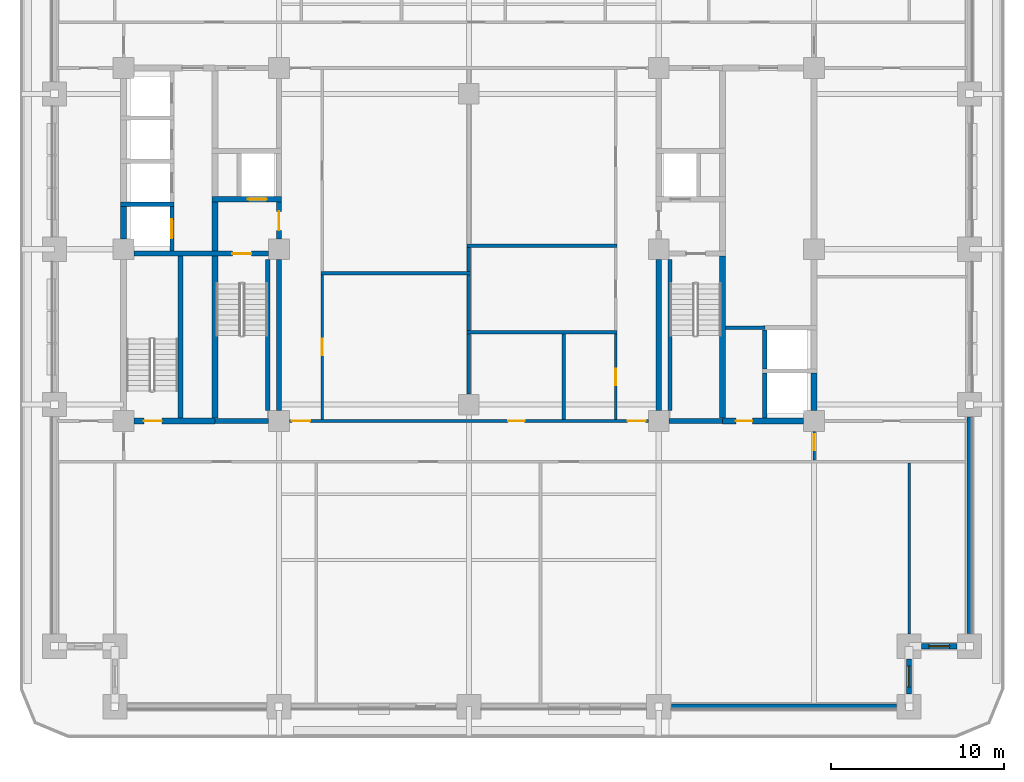
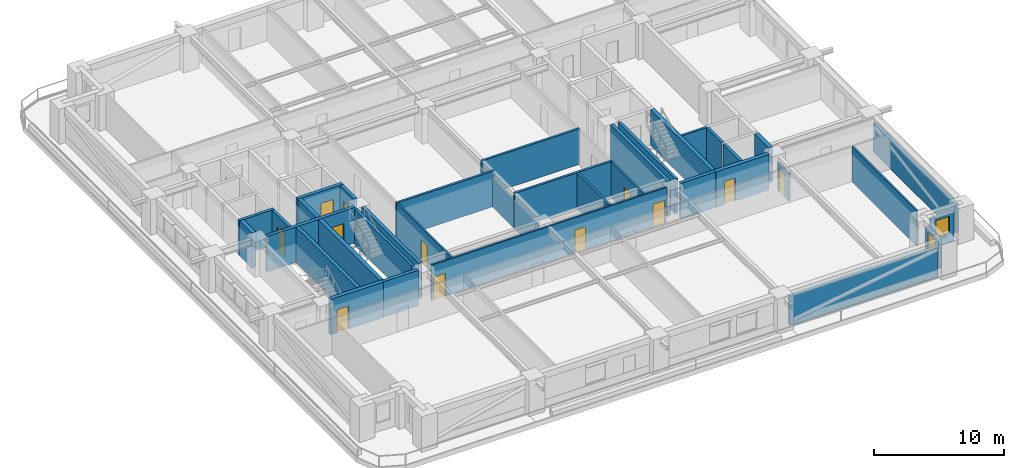
# One storey, part 3 of 14: 38 walls, 12 doors, 2 windows, 14 openings.
"""IFC4 building model written with IfcOpenShell, lengths in metres."""

from ifc_helpers import new_model, si_unit, direction, frame, frame_2d, origin, place, context, subcontext, project, spatial, rectangle, extrude, material, layer, layer_set, type_object, element, fill, save


model = new_model("IFC4")

# Units and contexts
model_context = context("Model", 3, precision=1e-05, world=origin(), true_north=direction((0.0, 1.0)))
body_context = subcontext(model_context, "Body", "Model", "MODEL_VIEW")
ifc_project = project(units=[si_unit("LENGTHUNIT", "METRE"), si_unit("AREAUNIT", "SQUARE_METRE"), si_unit("VOLUMEUNIT", "CUBIC_METRE"), si_unit("PLANEANGLEUNIT", "RADIAN"), si_unit("MASSUNIT", "GRAM", prefix="KILO")], contexts=[model_context])

# Site, building, storey
site_placement = place(None, origin())
site = spatial("IfcSite", under=ifc_project, at=site_placement, CompositionType="ELEMENT")
building_placement = place(site_placement, origin())
building = spatial("IfcBuilding", under=site, at=building_placement, Name="Zulmaris Gate Convention Tower", CompositionType="ELEMENT")
storey_placement = place(building_placement, frame((0.0, 0.0, 45.050048828125)))
storey = spatial("IfcBuildingStorey", under=building, at=storey_placement, Name="L10", CompositionType="ELEMENT", Elevation=45.050048828125)

# Wall
ifc_material_1 = material(Name="Concrete C50/60", Category="concrete")
ifc_layer_1 = layer(ifc_material_1, 0.25, Name="Concrete C50/60")
ifc_layer_set_1 = layer_set([ifc_layer_1], Name="Concrete C50/60")
wall_type_1 = type_object("IfcWallType", Name="CORE-250", PredefinedType="SOLIDWALL", material=ifc_layer_set_1)
wall_1_placement = place(storey_placement, frame((-20.175048828125, 2.60009765625, 0.0), z_axis=(0.0, 0.0, 1.0), x_axis=(1.0, 0.0, 0.0)))
element("IfcWall", 1, at=wall_1_placement, inside=storey, type_object=wall_type_1, Name="WL-L10-009", PredefinedType="SOLIDWALL", context=body_context, shape_type="SweptSolid", body=[
    extrude(rectangle(XDim=3.10009765625, YDim=0.25, at=frame_2d((1.550048828125, 0.0))), origin(), (0.0, 0.0, 1.0), 3.320068359375),
])

# Wall, opening, door
wall_2_placement = place(storey_placement, frame((-17.199951171875, -0.097900390625, 0.0), z_axis=(0.0, 0.0, 1.0), x_axis=(0.0, 1.0, 0.0)))
wall_2 = element("IfcWall", 2, at=wall_2_placement, inside=storey, type_object=wall_type_1, Name="WL-L10-038", PredefinedType="SOLIDWALL", context=body_context, shape_type="SweptSolid", body=[
    extrude(rectangle(XDim=2.57080078125, YDim=0.25, at=frame_2d((1.285400390625, 0.0))), origin(), (0.0, 0.0, 1.0), 3.320068359375),
])
opening_1_placement = place(wall_2_placement, frame((0.722900390625, 0.0, 0.0)))
opening_1 = element("IfcOpeningElement", 3, at=opening_1_placement, cuts=wall_2, Name="Opening D-06", PredefinedType="OPENING", context=body_context, shape_type="SweptSolid", body=[
    extrude(rectangle(XDim=1.10009765625, YDim=2.199951171875, at=frame_2d((0.550048828125, 1.10009765625))), frame((0.0, 0.135009765625, 0.0), z_axis=(0.0, -1.0, 0.0), x_axis=(1.0, 0.0, 0.0)), (0.0, 0.0, 1.0), 0.27001953125),
])
ifc_material_2 = material(Name="Brushed Stainless Steel", Category="steel")
door_type_1 = type_object("IfcDoorType", Name="LD-1100", OperationType="NOTDEFINED", PredefinedType="DOOR", material=ifc_material_2)
door_1_placement = place(opening_1_placement, origin())
door_1 = element("IfcDoor", 4, at=door_1_placement, inside=storey, type_object=door_type_1, Name="L10 Lift Landing Door LP-01 11", OperationType="SLIDING_TO_LEFT", OverallHeight=2.199951171875, OverallWidth=1.10009765625, PredefinedType="DOOR", context=body_context, shape_type="SweptSolid", body=[
    extrude(rectangle(XDim=1.10009765625, YDim=2.199951171875, at=frame_2d((0.550048828125, 1.10009765625))), frame((0.0, 0.02490234375, 0.0), z_axis=(0.0, -1.0, 0.0), x_axis=(1.0, 0.0, 0.0)), (0.0, 0.0, 1.0), 0.050048828125),
])
fill(opening_1, door_1)

# Walls
for number, where, z_axis, x_axis, name in (
    (5, (-11.64990234375, -9.345947265625, 0.0), (0.0, 0.0, 1.0), (0.0, 1.0, 0.0), "WL-L10-048"),
    (6, (11.64990234375, -9.345947265625, 0.0), (0.0, 0.0, 1.0), (0.0, 1.0, 0.0), "WL-L10-057"),
):
    element("IfcWall", number, at=place(storey_placement, frame(where, z_axis=z_axis, x_axis=x_axis)), inside=storey, type_object=wall_type_1, Name=name, PredefinedType="SOLIDWALL", context=body_context, shape_type="SweptSolid", body=[
        extrude(rectangle(XDim=8.741943359375, YDim=0.25, at=frame_2d((4.37109375, 0.0))), origin(), (0.0, 0.0, 1.0), 3.320068359375),
    ])
wall_3_placement = place(storey_placement, frame((17.14990234375, -9.77294921875, 0.0), z_axis=(0.0, 0.0, 1.0), x_axis=(0.0, 1.0, 0.0)))
element("IfcWall", 7, at=wall_3_placement, inside=storey, type_object=wall_type_1, Name="WL-L10-063", PredefinedType="SOLIDWALL", context=body_context, shape_type="SweptSolid", body=[
    extrude(rectangle(XDim=2.595947265625, YDim=0.25, at=frame_2d((1.2978515625, 0.0))), origin(), (0.0, 0.0, 1.0), 3.320068359375),
])
wall_4_placement = place(storey_placement, frame((17.14990234375, -6.923095703125, 0.0), z_axis=(0.0, 0.0, 1.0), x_axis=(0.0, 1.0, 0.0)))
element("IfcWall", 8, at=wall_4_placement, inside=storey, type_object=wall_type_1, Name="WL-L10-064", PredefinedType="SOLIDWALL", context=body_context, shape_type="SweptSolid", body=[
    extrude(rectangle(XDim=2.24609375, YDim=0.25, at=frame_2d((1.123046875, 0.0))), origin(), (0.0, 0.0, 1.0), 3.320068359375),
])
ifc_layer_2 = layer(ifc_material_1, 0.300048828125, Name="Concrete C50/60")
ifc_layer_set_2 = layer_set([ifc_layer_2], Name="Concrete C50/60")
wall_type_2 = type_object("IfcWallType", Name="CORE-300", PredefinedType="SHEAR", material=ifc_layer_set_2)
for number, where, z_axis, x_axis, name in (
    (9, (-14.699951171875, -9.949951171875, 0.0), (0.0, 0.0, 1.0), (1.0, 0.0, 0.0), "WL-L10-002"),
    (10, (11.60400390625, -9.949951171875, 0.0), (0.0, 0.0, 1.0), (1.0, 0.0, 0.0), "WL-L10-003"),
):
    element("IfcWall", number, at=place(storey_placement, frame(where, z_axis=z_axis, x_axis=x_axis)), inside=storey, type_object=wall_type_2, Name=name, PredefinedType="SHEAR", context=body_context, shape_type="SweptSolid", body=[
        extrude(rectangle(XDim=3.095947265625, YDim=0.300048828125, at=frame_2d((1.5478515625, 0.0))), origin(), (0.0, 0.0, 1.0), 3.320068359375),
    ])

# Wall, opening, door
wall_5_placement = place(storey_placement, frame((-19.39599609375, -0.25, 0.0), z_axis=(0.0, 0.0, 1.0), x_axis=(1.0, 0.0, 0.0)))
wall_5 = element("IfcWall", 11, at=wall_5_placement, inside=storey, type_object=wall_type_2, Name="WL-L10-007", PredefinedType="SHEAR", context=body_context, shape_type="SweptSolid", body=[
    extrude(rectangle(XDim=7.7919921875, YDim=0.300048828125, at=frame_2d((3.89599609375, 0.0))), origin(), (0.0, 0.0, 1.0), 3.320068359375),
])
opening_2_placement = place(wall_5_placement, frame((5.696044921875, 0.0, 0.0)))
opening_2 = element("IfcOpeningElement", 12, at=opening_2_placement, cuts=wall_5, Name="Opening D-08", PredefinedType="OPENING", context=body_context, shape_type="SweptSolid", body=[
    extrude(rectangle(XDim=1.10009765625, YDim=2.14990234375, at=frame_2d((0.550048828125, 1.074951171875))), frame((0.0, 0.16015625, 0.0), z_axis=(0.0, -1.0, 0.0), x_axis=(1.0, 0.0, 0.0)), (0.0, 0.0, 1.0), 0.320068359375),
])
ifc_material_3 = material(Name="Fire-Rated Steel", Category="steel")
door_type_2 = type_object("IfcDoorType", Name="DR-1100-FD", OperationType="NOTDEFINED", PredefinedType="DOOR", material=ifc_material_3)
door_2_placement = place(opening_2_placement, origin())
door_2 = element("IfcDoor", 13, at=door_2_placement, inside=storey, type_object=door_type_2, Name="L10 Exit Stair ST-1 Door 01", OperationType="SINGLE_SWING_LEFT", OverallHeight=2.14990234375, OverallWidth=1.10009765625, PredefinedType="DOOR", context=body_context, shape_type="SweptSolid", body=[
    extrude(rectangle(XDim=1.10009765625, YDim=2.14990234375, at=frame_2d((0.550048828125, 1.074951171875))), frame((0.0, 0.02490234375, 0.0), z_axis=(0.0, -1.0, 0.0), x_axis=(1.0, 0.0, 0.0)), (0.0, 0.0, 1.0), 0.050048828125),
])
fill(opening_2, door_2)

wall_6_placement = place(storey_placement, frame((-14.875, 2.89990234375, 0.0), z_axis=(0.0, 0.0, 1.0), x_axis=(1.0, 0.0, 0.0)))
wall_6 = element("IfcWall", 14, at=wall_6_placement, inside=storey, type_object=wall_type_2, Name="WL-L10-010", PredefinedType="SHEAR", context=body_context, shape_type="SweptSolid", body=[
    extrude(rectangle(XDim=4.02490234375, YDim=0.300048828125, at=frame_2d((2.012451171875, 0.0))), origin(), (0.0, 0.0, 1.0), 3.320068359375),
])
opening_3_placement = place(wall_6_placement, frame((2.074951171875, 0.0, 0.0)))
opening_3 = element("IfcOpeningElement", 15, at=opening_3_placement, cuts=wall_6, Name="Opening D-06", PredefinedType="OPENING", context=body_context, shape_type="SweptSolid", body=[
    extrude(rectangle(XDim=1.10009765625, YDim=2.199951171875, at=frame_2d((0.550048828125, 1.10009765625))), frame((0.0, 0.16015625, 0.0), z_axis=(0.0, -1.0, 0.0), x_axis=(1.0, 0.0, 0.0)), (0.0, 0.0, 1.0), 0.320068359375),
])
door_3_placement = place(opening_3_placement, origin())
door_3 = element("IfcDoor", 16, at=door_3_placement, inside=storey, type_object=door_type_1, Name="L10 Lift Landing Door LF-01 03", OperationType="SLIDING_TO_LEFT", OverallHeight=2.199951171875, OverallWidth=1.10009765625, PredefinedType="DOOR", context=body_context, shape_type="SweptSolid", body=[
    extrude(rectangle(XDim=1.10009765625, YDim=2.199951171875, at=frame_2d((0.550048828125, 1.10009765625))), frame((0.0, 0.02490234375, 0.0), z_axis=(0.0, -1.0, 0.0), x_axis=(1.0, 0.0, 0.0)), (0.0, 0.0, 1.0), 0.050048828125),
])
fill(opening_3, door_3)

# Walls
wall_7_placement = place(storey_placement, frame((-16.699951171875, -9.77294921875, 0.0), z_axis=(0.0, 0.0, 1.0), x_axis=(0.0, 1.0, 0.0)))
element("IfcWall", 17, at=wall_7_placement, inside=storey, type_object=wall_type_2, Name="WL-L10-042", PredefinedType="SHEAR", context=body_context, shape_type="SweptSolid", body=[
    extrude(rectangle(XDim=9.370849609375, YDim=0.300048828125, at=frame_2d((4.685546875, 0.0))), origin(), (0.0, 0.0, 1.0), 3.320068359375),
])
wall_8_placement = place(storey_placement, frame((-11.0, -9.345947265625, 0.0), z_axis=(0.0, 0.0, 1.0), x_axis=(0.0, 1.0, 0.0)))
element("IfcWall", 18, at=wall_8_placement, inside=storey, type_object=wall_type_2, Name="WL-L10-049", PredefinedType="SHEAR", context=body_context, shape_type="SweptSolid", body=[
    extrude(rectangle(XDim=8.741943359375, YDim=0.300048828125, at=frame_2d((4.37109375, 0.0))), origin(), (0.0, 0.0, 1.0), 3.320068359375),
])

# Wall, opening, door
wall_9_placement = place(storey_placement, frame((-11.0, 0.60400390625, 0.0), z_axis=(0.0, 0.0, 1.0), x_axis=(0.0, 1.0, 0.0)))
wall_9 = element("IfcWall", 19, at=wall_9_placement, inside=storey, type_object=wall_type_2, Name="WL-L10-050", PredefinedType="SHEAR", context=body_context, shape_type="SweptSolid", body=[
    extrude(rectangle(XDim=2.14404296875, YDim=0.300048828125, at=frame_2d((1.072021484375, 0.0))), origin(), (0.0, 0.0, 1.0), 3.320068359375),
])
opening_4_placement = place(wall_9_placement, frame((0.49609375, 0.0, 0.0)))
opening_4 = element("IfcOpeningElement", 20, at=opening_4_placement, cuts=wall_9, Name="Opening D-08", PredefinedType="OPENING", context=body_context, shape_type="SweptSolid", body=[
    extrude(rectangle(XDim=1.10009765625, YDim=2.14990234375, at=frame_2d((0.550048828125, 1.074951171875))), frame((0.0, 0.16015625, 0.0), z_axis=(0.0, -1.0, 0.0), x_axis=(1.0, 0.0, 0.0)), (0.0, 0.0, 1.0), 0.320068359375),
])
door_4_placement = place(opening_4_placement, origin())
door_4 = element("IfcDoor", 21, at=door_4_placement, inside=storey, type_object=door_type_2, Name="L10 West Firefighting Lobby Door 02", OperationType="SINGLE_SWING_RIGHT", OverallHeight=2.14990234375, OverallWidth=1.10009765625, PredefinedType="DOOR", context=body_context, shape_type="SweptSolid", body=[
    extrude(rectangle(XDim=1.10009765625, YDim=2.14990234375, at=frame_2d((0.550048828125, 1.074951171875))), frame((0.0, 0.02490234375, 0.0), z_axis=(0.0, -1.0, 0.0), x_axis=(1.0, 0.0, 0.0)), (0.0, 0.0, 1.0), 0.050048828125),
])
fill(opening_4, door_4)

# Wall
wall_10_placement = place(storey_placement, frame((11.0, -9.345947265625, 0.0), z_axis=(0.0, 0.0, 1.0), x_axis=(0.0, 1.0, 0.0)))
element("IfcWall", 22, at=wall_10_placement, inside=storey, type_object=wall_type_2, Name="WL-L10-053", PredefinedType="SHEAR", context=body_context, shape_type="SweptSolid", body=[
    extrude(rectangle(XDim=8.741943359375, YDim=0.300048828125, at=frame_2d((4.37109375, 0.0))), origin(), (0.0, 0.0, 1.0), 3.320068359375),
])

# Wall, opening, door
ifc_material_4 = material(Name="Concrete C55/67", Category="concrete")
ifc_layer_3 = layer(ifc_material_4, 0.35009765625, Name="Concrete C55/67")
ifc_layer_set_3 = layer_set([ifc_layer_3], Name="Concrete C55/67")
wall_type_3 = type_object("IfcWallType", Name="CORE-350", PredefinedType="SHEAR", material=ifc_layer_set_3)
wall_11_placement = place(storey_placement, frame((-19.39599609375, -9.949951171875, 0.0), z_axis=(0.0, 0.0, 1.0), x_axis=(1.0, 0.0, 0.0)))
wall_11 = element("IfcWall", 23, at=wall_11_placement, inside=storey, type_object=wall_type_3, Name="WL-L10-001", PredefinedType="SHEAR", context=body_context, shape_type="SweptSolid", body=[
    extrude(rectangle(XDim=4.696044921875, YDim=0.35009765625, at=frame_2d((2.34814453125, 0.0))), origin(), (0.0, 0.0, 1.0), 3.320068359375),
])
opening_5_placement = place(wall_11_placement, frame((0.571044921875, 0.0, 0.0)))
opening_5 = element("IfcOpeningElement", 24, at=opening_5_placement, cuts=wall_11, Name="Opening D-09", PredefinedType="OPENING", context=body_context, shape_type="SweptSolid", body=[
    extrude(rectangle(XDim=1.050048828125, YDim=2.14990234375, at=frame_2d((0.52490234375, 1.074951171875))), frame((0.0, 0.18505859375, 0.0), z_axis=(0.0, -1.0, 0.0), x_axis=(1.0, 0.0, 0.0)), (0.0, 0.0, 1.0), 0.3701171875),
])
door_type_3 = type_object("IfcDoorType", Name="DR-1050-FD", OperationType="NOTDEFINED", PredefinedType="DOOR", material=ifc_material_3)
door_5_placement = place(opening_5_placement, origin())
door_5 = element("IfcDoor", 25, at=door_5_placement, inside=storey, type_object=door_type_3, Name="L10 Exit Stair ST-3 Door 09", OperationType="SINGLE_SWING_LEFT", OverallHeight=2.14990234375, OverallWidth=1.050048828125, PredefinedType="DOOR", context=body_context, shape_type="SweptSolid", body=[
    extrude(rectangle(XDim=1.050048828125, YDim=2.14990234375, at=frame_2d((0.52490234375, 1.074951171875))), frame((0.0, 0.02490234375, 0.0), z_axis=(0.0, -1.0, 0.0), x_axis=(1.0, 0.0, 0.0)), (0.0, 0.0, 1.0), 0.050048828125),
])
fill(opening_5, door_5)

wall_12_placement = place(storey_placement, frame((14.699951171875, -9.949951171875, 0.0), z_axis=(0.0, 0.0, 1.0), x_axis=(1.0, 0.0, 0.0)))
wall_12 = element("IfcWall", 26, at=wall_12_placement, inside=storey, type_object=wall_type_3, Name="WL-L10-004", PredefinedType="SHEAR", context=body_context, shape_type="SweptSolid", body=[
    extrude(rectangle(XDim=4.696044921875, YDim=0.35009765625, at=frame_2d((2.34814453125, 0.0))), origin(), (0.0, 0.0, 1.0), 3.320068359375),
])
opening_6_placement = place(wall_12_placement, frame((0.77490234375, 0.0, 0.0)))
opening_6 = element("IfcOpeningElement", 27, at=opening_6_placement, cuts=wall_12, Name="Opening D-11", PredefinedType="OPENING", context=body_context, shape_type="SweptSolid", body=[
    extrude(rectangle(XDim=0.949951171875, YDim=2.14990234375, at=frame_2d((0.47509765625, 1.074951171875))), frame((0.0, 0.18505859375, 0.0), z_axis=(0.0, -1.0, 0.0), x_axis=(1.0, 0.0, 0.0)), (0.0, 0.0, 1.0), 0.3701171875),
])
ifc_material_5 = material(Name="Fire-Rated Timber", Category="wood")
door_type_4 = type_object("IfcDoorType", Name="DR-950-FD", OperationType="NOTDEFINED", PredefinedType="DOOR", material=ifc_material_5)
door_6_placement = place(opening_6_placement, origin())
door_6 = element("IfcDoor", 28, at=door_6_placement, inside=storey, type_object=door_type_4, Name="L10 East Cleaners Store Door 15", OperationType="SINGLE_SWING_LEFT", OverallHeight=2.14990234375, OverallWidth=0.949951171875, PredefinedType="DOOR", context=body_context, shape_type="SweptSolid", body=[
    extrude(rectangle(XDim=0.949951171875, YDim=2.14990234375, at=frame_2d((0.47509765625, 1.074951171875))), frame((0.0, 0.02490234375, 0.0), z_axis=(0.0, -1.0, 0.0), x_axis=(1.0, 0.0, 0.0)), (0.0, 0.0, 1.0), 0.050048828125),
])
fill(opening_6, door_6)

# Walls
wall_13_placement = place(storey_placement, frame((-20.0, 0.60400390625, 0.0), z_axis=(0.0, 0.0, 1.0), x_axis=(0.0, 1.0, 0.0)))
element("IfcWall", 29, at=wall_13_placement, inside=storey, type_object=wall_type_3, Name="WL-L10-034", PredefinedType="SHEAR", context=body_context, shape_type="SweptSolid", body=[
    extrude(rectangle(XDim=1.868896484375, YDim=0.35009765625, at=frame_2d((0.9345703125, 0.0))), origin(), (0.0, 0.0, 1.0), 3.320068359375),
])
wall_14_placement = place(storey_placement, frame((-14.699951171875, -9.77294921875, 0.0), z_axis=(0.0, 0.0, 1.0), x_axis=(0.0, 1.0, 0.0)))
element("IfcWall", 30, at=wall_14_placement, inside=storey, type_object=wall_type_3, Name="WL-L10-043", PredefinedType="SHEAR", context=body_context, shape_type="SweptSolid", body=[
    extrude(rectangle(XDim=9.370849609375, YDim=0.35009765625, at=frame_2d((4.685546875, 0.0))), origin(), (0.0, 0.0, 1.0), 3.320068359375),
])
wall_15_placement = place(storey_placement, frame((-14.699951171875, -0.097900390625, 0.0), z_axis=(0.0, 0.0, 1.0), x_axis=(0.0, 1.0, 0.0)))
element("IfcWall", 31, at=wall_15_placement, inside=storey, type_object=wall_type_3, Name="WL-L10-044", PredefinedType="SHEAR", context=body_context, shape_type="SweptSolid", body=[
    extrude(rectangle(XDim=2.845947265625, YDim=0.35009765625, at=frame_2d((1.4228515625, 0.0))), origin(), (0.0, 0.0, 1.0), 3.320068359375),
])
wall_16_placement = place(storey_placement, frame((14.699951171875, -9.77294921875, 0.0), z_axis=(0.0, 0.0, 1.0), x_axis=(0.0, 1.0, 0.0)))
element("IfcWall", 32, at=wall_16_placement, inside=storey, type_object=wall_type_3, Name="WL-L10-059", PredefinedType="SHEAR", context=body_context, shape_type="SweptSolid", body=[
    extrude(rectangle(XDim=9.370849609375, YDim=0.35009765625, at=frame_2d((4.685546875, 0.0))), origin(), (0.0, 0.0, 1.0), 3.320068359375),
])
wall_17_placement = place(storey_placement, frame((20.0, -9.345947265625, 0.0), z_axis=(0.0, 0.0, 1.0), x_axis=(0.0, 1.0, 0.0)))
element("IfcWall", 33, at=wall_17_placement, inside=storey, type_object=wall_type_3, Name="WL-L10-065", PredefinedType="SHEAR", context=body_context, shape_type="SweptSolid", body=[
    extrude(rectangle(XDim=2.1689453125, YDim=0.35009765625, at=frame_2d((1.08447265625, 0.0))), origin(), (0.0, 0.0, 1.0), 3.320068359375),
])

# Wall, openings, doors
ifc_material_6 = material(Name="Gypsum Metal Stud Partition")
ifc_layer_4 = layer(ifc_material_6, 0.14990234375, Name="Gypsum Metal Stud Partition")
ifc_layer_set_4 = layer_set([ifc_layer_4], Name="Gypsum Metal Stud Partition")
wall_type_4 = type_object("IfcWallType", Name="PART-150", PredefinedType="PARTITIONING", material=ifc_layer_set_4)
wall_18_placement = place(storey_placement, frame((-10.39404296875, -9.949951171875, 0.0), z_axis=(0.0, 0.0, 1.0), x_axis=(1.0, 0.0, 0.0)))
wall_18 = element("IfcWall", 34, at=wall_18_placement, inside=storey, type_object=wall_type_4, Name="WL-L10-022", PredefinedType="PARTITIONING", context=body_context, shape_type="SweptSolid", body=[
    extrude(rectangle(XDim=20.7880859375, YDim=0.14990234375, at=frame_2d((10.39404296875, 0.0))), origin(), (0.0, 0.0, 1.0), 3.320068359375),
])
opening_7_placement = place(wall_18_placement, frame((0.14990234375, 0.0, 0.0)))
opening_7 = element("IfcOpeningElement", 35, at=opening_7_placement, cuts=wall_18, Name="Opening D-09", PredefinedType="OPENING", context=body_context, shape_type="SweptSolid", body=[
    extrude(rectangle(XDim=1.050048828125, YDim=2.14990234375, at=frame_2d((0.52490234375, 1.074951171875))), frame((0.0, 0.0849609375, 0.0), z_axis=(0.0, -1.0, 0.0), x_axis=(1.0, 0.0, 0.0)), (0.0, 0.0, 1.0), 0.169921875),
])
opening_8_placement = place(wall_18_placement, frame((19.587890625, 0.0, 0.0)))
opening_8 = element("IfcOpeningElement", 36, at=opening_8_placement, cuts=wall_18, Name="Opening D-09", PredefinedType="OPENING", context=body_context, shape_type="SweptSolid", body=[
    extrude(rectangle(XDim=1.050048828125, YDim=2.14990234375, at=frame_2d((0.52490234375, 1.074951171875))), frame((0.0, 0.0849609375, 0.0), z_axis=(0.0, -1.0, 0.0), x_axis=(1.0, 0.0, 0.0)), (0.0, 0.0, 1.0), 0.169921875),
])
opening_9_placement = place(wall_18_placement, frame((12.6689453125, 0.0, 0.0)))
opening_9 = element("IfcOpeningElement", 37, at=opening_9_placement, cuts=wall_18, Name="Opening D-11", PredefinedType="OPENING", context=body_context, shape_type="SweptSolid", body=[
    extrude(rectangle(XDim=0.949951171875, YDim=2.14990234375, at=frame_2d((0.47509765625, 1.074951171875))), frame((0.0, 0.0849609375, 0.0), z_axis=(0.0, -1.0, 0.0), x_axis=(1.0, 0.0, 0.0)), (0.0, 0.0, 1.0), 0.169921875),
])
door_7_placement = place(opening_7_placement, origin())
door_7 = element("IfcDoor", 38, at=door_7_placement, inside=storey, type_object=door_type_3, Name="L10 SW Spine Link Door 18", OperationType="SINGLE_SWING_RIGHT", OverallHeight=2.14990234375, OverallWidth=1.050048828125, PredefinedType="DOOR", context=body_context, shape_type="SweptSolid", body=[
    extrude(rectangle(XDim=1.050048828125, YDim=2.14990234375, at=frame_2d((0.52490234375, 1.074951171875))), frame((0.0, 0.02490234375, 0.0), z_axis=(0.0, -1.0, 0.0), x_axis=(1.0, 0.0, 0.0)), (0.0, 0.0, 1.0), 0.050048828125),
])
fill(opening_7, door_7)
door_8_placement = place(opening_8_placement, origin())
door_8 = element("IfcDoor", 39, at=door_8_placement, inside=storey, type_object=door_type_3, Name="L10 SE Spine Link Door 20", OperationType="SINGLE_SWING_RIGHT", OverallHeight=2.14990234375, OverallWidth=1.050048828125, PredefinedType="DOOR", context=body_context, shape_type="SweptSolid", body=[
    extrude(rectangle(XDim=1.050048828125, YDim=2.14990234375, at=frame_2d((0.52490234375, 1.074951171875))), frame((0.0, 0.02490234375, 0.0), z_axis=(0.0, -1.0, 0.0), x_axis=(1.0, 0.0, 0.0)), (0.0, 0.0, 1.0), 0.050048828125),
])
fill(opening_8, door_8)
door_9_placement = place(opening_9_placement, origin())
door_9 = element("IfcDoor", 40, at=door_9_placement, inside=storey, type_object=door_type_4, Name="L10 Print Room Door 35", OperationType="SINGLE_SWING_LEFT", OverallHeight=2.14990234375, OverallWidth=0.949951171875, PredefinedType="DOOR", context=body_context, shape_type="SweptSolid", body=[
    extrude(rectangle(XDim=0.949951171875, YDim=2.14990234375, at=frame_2d((0.47509765625, 1.074951171875))), frame((0.0, 0.02490234375, 0.0), z_axis=(0.0, -1.0, 0.0), x_axis=(1.0, 0.0, 0.0)), (0.0, 0.0, 1.0), 0.050048828125),
])
fill(opening_9, door_9)

# Wall, opening, door
wall_19_placement = place(storey_placement, frame((-8.5, -9.8720703125, 0.0), z_axis=(0.0, 0.0, 1.0), x_axis=(0.0, 1.0, 0.0)))
wall_19 = element("IfcWall", 41, at=wall_19_placement, inside=storey, type_object=wall_type_4, Name="WL-L10-074", PredefinedType="PARTITIONING", context=body_context, shape_type="SweptSolid", body=[
    extrude(rectangle(XDim=8.369140625, YDim=0.14990234375, at=frame_2d((4.1845703125, 0.0))), origin(), (0.0, 0.0, 1.0), 3.320068359375),
])
opening_10_placement = place(wall_19_placement, frame((3.72705078125, 0.0, 0.0)))
opening_10 = element("IfcOpeningElement", 42, at=opening_10_placement, cuts=wall_19, Name="Opening D-11", PredefinedType="OPENING", context=body_context, shape_type="SweptSolid", body=[
    extrude(rectangle(XDim=0.949951171875, YDim=2.14990234375, at=frame_2d((0.47509765625, 1.074951171875))), frame((0.0, 0.0849609375, 0.0), z_axis=(0.0, -1.0, 0.0), x_axis=(1.0, 0.0, 0.0)), (0.0, 0.0, 1.0), 0.169921875),
])
door_10_placement = place(opening_10_placement, origin())
door_10 = element("IfcDoor", 43, at=door_10_placement, inside=storey, type_object=door_type_4, Name="L10 Wellness Pantry Door 31", OperationType="SINGLE_SWING_LEFT", OverallHeight=2.14990234375, OverallWidth=0.949951171875, PredefinedType="DOOR", context=body_context, shape_type="SweptSolid", body=[
    extrude(rectangle(XDim=0.949951171875, YDim=2.14990234375, at=frame_2d((0.47509765625, 1.074951171875))), frame((0.0, 0.02490234375, 0.0), z_axis=(0.0, -1.0, 0.0), x_axis=(1.0, 0.0, 0.0)), (0.0, 0.0, 1.0), 0.050048828125),
])
fill(opening_10, door_10)

wall_20_placement = place(storey_placement, frame((8.5, -9.8720703125, 0.0), z_axis=(0.0, 0.0, 1.0), x_axis=(0.0, 1.0, 0.0)))
wall_20 = element("IfcWall", 44, at=wall_20_placement, inside=storey, type_object=wall_type_4, Name="WL-L10-085", PredefinedType="PARTITIONING", context=body_context, shape_type="SweptSolid", body=[
    extrude(rectangle(XDim=4.968994140625, YDim=0.14990234375, at=frame_2d((2.484375, 0.0))), origin(), (0.0, 0.0, 1.0), 3.320068359375),
])
opening_11_placement = place(wall_20_placement, frame((1.9970703125, 0.0, 0.0)))
opening_11 = element("IfcOpeningElement", 45, at=opening_11_placement, cuts=wall_20, Name="Opening D-11", PredefinedType="OPENING", context=body_context, shape_type="SweptSolid", body=[
    extrude(rectangle(XDim=0.949951171875, YDim=2.14990234375, at=frame_2d((0.47509765625, 1.074951171875))), frame((0.0, 0.0849609375, 0.0), z_axis=(0.0, -1.0, 0.0), x_axis=(1.0, 0.0, 0.0)), (0.0, 0.0, 1.0), 0.169921875),
])
door_11_placement = place(opening_11_placement, origin())
door_11 = element("IfcDoor", 46, at=door_11_placement, inside=storey, type_object=door_type_4, Name="L10 Accessible WC Door 34", OperationType="SINGLE_SWING_RIGHT", OverallHeight=2.14990234375, OverallWidth=0.949951171875, PredefinedType="DOOR", context=body_context, shape_type="SweptSolid", body=[
    extrude(rectangle(XDim=0.949951171875, YDim=2.14990234375, at=frame_2d((0.47509765625, 1.074951171875))), frame((0.0, 0.02490234375, 0.0), z_axis=(0.0, -1.0, 0.0), x_axis=(1.0, 0.0, 0.0)), (0.0, 0.0, 1.0), 0.050048828125),
])
fill(opening_11, door_11)

wall_21_placement = place(storey_placement, frame((20.0, -12.221923828125, 0.0), z_axis=(0.0, 0.0, 1.0), x_axis=(0.0, 1.0, 0.0)))
wall_21 = element("IfcWall", 47, at=wall_21_placement, inside=storey, type_object=wall_type_4, Name="WL-L10-089", PredefinedType="PARTITIONING", context=body_context, shape_type="SweptSolid", body=[
    extrude(rectangle(XDim=1.666015625, YDim=0.14990234375, at=frame_2d((0.8330078125, 0.0))), origin(), (0.0, 0.0, 1.0), 2.66015625),
])
opening_12_placement = place(wall_21_placement, frame((0.56591796875, 0.0, 0.0)))
opening_12 = element("IfcOpeningElement", 48, at=opening_12_placement, cuts=wall_21, Name="Opening D-11", PredefinedType="OPENING", context=body_context, shape_type="SweptSolid", body=[
    extrude(rectangle(XDim=0.949951171875, YDim=2.14990234375, at=frame_2d((0.47509765625, 1.074951171875))), frame((0.0, 0.0849609375, 0.0), z_axis=(0.0, -1.0, 0.0), x_axis=(1.0, 0.0, 0.0)), (0.0, 0.0, 1.0), 0.169921875),
])
door_12_placement = place(opening_12_placement, origin())
door_12 = element("IfcDoor", 49, at=door_12_placement, inside=storey, type_object=door_type_4, Name="L10 SE Spur Door 41", OperationType="SINGLE_SWING_LEFT", OverallHeight=2.14990234375, OverallWidth=0.949951171875, PredefinedType="DOOR", context=body_context, shape_type="SweptSolid", body=[
    extrude(rectangle(XDim=0.949951171875, YDim=2.14990234375, at=frame_2d((0.47509765625, 1.074951171875))), frame((0.0, 0.02490234375, 0.0), z_axis=(0.0, -1.0, 0.0), x_axis=(1.0, 0.0, 0.0)), (0.0, 0.0, 1.0), 0.050048828125),
])
fill(opening_12, door_12)

# Walls
wall_22_placement = place(storey_placement, frame((25.5, -22.2939453125, 0.0), z_axis=(0.0, 0.0, 1.0), x_axis=(0.0, 1.0, 0.0)))
element("IfcWall", 50, at=wall_22_placement, inside=storey, type_object=wall_type_4, Name="WL-L10-091", PredefinedType="PARTITIONING", context=body_context, shape_type="SweptSolid", body=[
    extrude(rectangle(XDim=9.916015625, YDim=0.14990234375, at=frame_2d((4.9580078125, 0.0))), origin(), (0.0, 0.0, 1.0), 3.320068359375),
])
ifc_material_7 = material(Name="Autoclaved Aerated Concrete Block and Plasterboard", Category="concrete")
ifc_layer_5 = layer(ifc_material_7, 0.199951171875, Name="Autoclaved Aerated Concrete Block and Plasterboard")
ifc_layer_set_5 = layer_set([ifc_layer_5], Name="Autoclaved Aerated Concrete Block and Plasterboard")
wall_type_5 = type_object("IfcWallType", Name="PART-200", PredefinedType="PARTITIONING", material=ifc_layer_set_5)
wall_23_placement = place(storey_placement, frame((-0.10009765625, -4.800048828125, 0.0), z_axis=(0.0, 0.0, 1.0), x_axis=(1.0, 0.0, 0.0)))
element("IfcWall", 51, at=wall_23_placement, inside=storey, type_object=wall_type_5, Name="WL-L10-024", PredefinedType="PARTITIONING", context=body_context, shape_type="SweptSolid", body=[
    extrude(rectangle(XDim=8.675048828125, YDim=0.199951171875, at=frame_2d((4.33740234375, 0.0))), origin(), (0.0, 0.0, 1.0), 3.320068359375),
])
wall_24_placement = place(storey_placement, frame((14.8779296875, -4.550048828125, 0.0), z_axis=(0.0, 0.0, 1.0), x_axis=(1.0, 0.0, 0.0)))
element("IfcWall", 52, at=wall_24_placement, inside=storey, type_object=wall_type_5, Name="WL-L10-025", PredefinedType="PARTITIONING", context=body_context, shape_type="SweptSolid", body=[
    extrude(rectangle(XDim=2.27197265625, YDim=0.199951171875, at=frame_2d((1.135986328125, 0.0))), origin(), (0.0, 0.0, 1.0), 3.320068359375),
])
for number, where, z_axis, x_axis, name in (
    (53, (-8.574951171875, -1.39990234375, 0.0), (0.0, 0.0, 1.0), (1.0, 0.0, 0.0), "WL-L10-027"),
    (54, (-0.10009765625, 0.199951171875, 0.0), (0.0, 0.0, 1.0), (1.0, 0.0, 0.0), "WL-L10-028"),
):
    element("IfcWall", number, at=place(storey_placement, frame(where, z_axis=z_axis, x_axis=x_axis)), inside=storey, type_object=wall_type_5, Name=name, PredefinedType="PARTITIONING", context=body_context, shape_type="SweptSolid", body=[
        extrude(rectangle(XDim=8.675048828125, YDim=0.199951171875, at=frame_2d((4.33740234375, 0.0))), origin(), (0.0, 0.0, 1.0), 3.320068359375),
    ])
wall_25_placement = place(storey_placement, frame((0.0, -8.39404296875, 0.0), z_axis=(0.0, 0.0, 1.0), x_axis=(0.0, 1.0, 0.0)))
element("IfcWall", 55, at=wall_25_placement, inside=storey, type_object=wall_type_5, Name="WL-L10-077", PredefinedType="PARTITIONING", context=body_context, shape_type="SweptSolid", body=[
    extrude(rectangle(XDim=3.490966796875, YDim=0.199951171875, at=frame_2d((1.74560546875, 0.0))), origin(), (0.0, 0.0, 1.0), 2.66015625),
])
wall_26_placement = place(storey_placement, frame((0.0, -4.697021484375, 0.0), z_axis=(0.0, 0.0, 1.0), x_axis=(0.0, 1.0, 0.0)))
element("IfcWall", 56, at=wall_26_placement, inside=storey, type_object=wall_type_5, Name="WL-L10-078", PredefinedType="PARTITIONING", context=body_context, shape_type="SweptSolid", body=[
    extrude(rectangle(XDim=3.194091796875, YDim=0.199951171875, at=frame_2d((1.59716796875, 0.0))), origin(), (0.0, 0.0, 1.0), 2.66015625),
])
wall_27_placement = place(storey_placement, frame((0.0, -1.297119140625, 0.0), z_axis=(0.0, 0.0, 1.0), x_axis=(0.0, 1.0, 0.0)))
element("IfcWall", 57, at=wall_27_placement, inside=storey, type_object=wall_type_5, Name="WL-L10-079", PredefinedType="PARTITIONING", context=body_context, shape_type="SweptSolid", body=[
    extrude(rectangle(XDim=1.39404296875, YDim=0.199951171875, at=frame_2d((0.697021484375, 0.0))), origin(), (0.0, 0.0, 1.0), 2.66015625),
])
wall_28_placement = place(storey_placement, frame((5.5, -9.8720703125, 0.0), z_axis=(0.0, 0.0, 1.0), x_axis=(0.0, 1.0, 0.0)))
element("IfcWall", 58, at=wall_28_placement, inside=storey, type_object=wall_type_5, Name="WL-L10-083", PredefinedType="PARTITIONING", context=body_context, shape_type="SweptSolid", body=[
    extrude(rectangle(XDim=4.968994140625, YDim=0.199951171875, at=frame_2d((2.484375, 0.0))), origin(), (0.0, 0.0, 1.0), 3.320068359375),
])

# Wall, opening, window
ifc_material_8 = material(Name="Precast concrete C40/50", Category="concrete")
ifc_layer_6 = layer(ifc_material_8, 0.300048828125, Name="Precast concrete C40/50")
ifc_layer_set_6 = layer_set([ifc_layer_6], Name="Precast concrete C40/50")
wall_type_6 = type_object("IfcWallType", Name="PRECAST-PIER-300", PredefinedType="STANDARD", material=ifc_layer_set_6)
wall_29_placement = place(storey_placement, frame((25.5, -25.77001953125, 0.0), z_axis=(0.0, 0.0, 1.0), x_axis=(0.0, 1.0, 0.0)))
wall_29 = element("IfcWall", 59, at=wall_29_placement, inside=storey, type_object=wall_type_6, Name="EW-L10-NOTCH-SE1_0", PredefinedType="STANDARD", context=body_context, shape_type="SweptSolid", body=[
    extrude(rectangle(XDim=2.0400390625, YDim=0.300048828125, at=frame_2d((1.02001953125, 0.0))), origin(), (0.0, 0.0, 1.0), 2.712158203125),
])
opening_13_placement = place(wall_29_placement, frame((0.419921875, 0.0, 0.820068359375)))
opening_13 = element("IfcOpeningElement", 60, at=opening_13_placement, cuts=wall_29, Name="Opening W-04", PredefinedType="OPENING", context=body_context, shape_type="SweptSolid", body=[
    extrude(rectangle(XDim=1.199951171875, YDim=1.64990234375, at=frame_2d((0.60009765625, 0.824951171875))), frame((0.0, 0.16015625, 0.0), z_axis=(0.0, -1.0, 0.0), x_axis=(1.0, 0.0, 0.0)), (0.0, 0.0, 1.0), 0.320068359375),
])
ifc_material_9 = material(Name="Low-E Laminated Double Glazing in Aluminium Frame", Category="aluminium")
window_type = type_object("IfcWindowType", Name="WIN-1200x2100", PartitioningType="SINGLE_PANEL", PredefinedType="WINDOW", material=ifc_material_9)
window_1_placement = place(opening_13_placement, origin())
window_1 = element("IfcWindow", 61, at=window_1_placement, inside=storey, type_object=window_type, Name="WN-EW-L10-NOTCH-SE1_0", OverallHeight=1.64990234375, OverallWidth=1.199951171875, PartitioningType="SINGLE_PANEL", PredefinedType="WINDOW", context=body_context, shape_type="SweptSolid", body=[
    extrude(rectangle(XDim=1.199951171875, YDim=1.64990234375, at=frame_2d((0.60009765625, 0.824951171875))), frame((0.0, 0.030029296875, 0.0), z_axis=(0.0, -1.0, 0.0), x_axis=(1.0, 0.0, 0.0)), (0.0, 0.0, 1.0), 0.06005859375),
])
fill(opening_13, window_1)

wall_30_placement = place(storey_placement, frame((26.22998046875, -23.0, 0.0), z_axis=(0.0, 0.0, 1.0), x_axis=(1.0, 0.0, 0.0)))
wall_30 = element("IfcWall", 62, at=wall_30_placement, inside=storey, type_object=wall_type_6, Name="EW-L10-NOTCH-SE2_0", PredefinedType="STANDARD", context=body_context, shape_type="SweptSolid", body=[
    extrude(rectangle(XDim=2.0400390625, YDim=0.300048828125, at=frame_2d((1.02001953125, 0.0))), origin(), (0.0, 0.0, 1.0), 2.712158203125),
])
opening_14_placement = place(wall_30_placement, frame((0.419921875, 0.0, 0.820068359375)))
opening_14 = element("IfcOpeningElement", 63, at=opening_14_placement, cuts=wall_30, Name="Opening W-04", PredefinedType="OPENING", context=body_context, shape_type="SweptSolid", body=[
    extrude(rectangle(XDim=1.199951171875, YDim=1.64990234375, at=frame_2d((0.60009765625, 0.824951171875))), frame((0.0, 0.16015625, 0.0), z_axis=(0.0, -1.0, 0.0), x_axis=(1.0, 0.0, 0.0)), (0.0, 0.0, 1.0), 0.320068359375),
])
window_2_placement = place(opening_14_placement, origin())
window_2 = element("IfcWindow", 64, at=window_2_placement, inside=storey, type_object=window_type, Name="WN-EW-L10-NOTCH-SE2_0", OverallHeight=1.64990234375, OverallWidth=1.199951171875, PartitioningType="SINGLE_PANEL", PredefinedType="WINDOW", context=body_context, shape_type="SweptSolid", body=[
    extrude(rectangle(XDim=1.199951171875, YDim=1.64990234375, at=frame_2d((0.60009765625, 0.824951171875))), frame((0.0, 0.030029296875, 0.0), z_axis=(0.0, -1.0, 0.0), x_axis=(1.0, 0.0, 0.0)), (0.0, 0.0, 1.0), 0.06005859375),
])
fill(opening_14, window_2)

# Walls
wall_31_placement = place(storey_placement, frame((11.72998046875, -26.5, 0.0), z_axis=(0.0, 0.0, 1.0), x_axis=(1.0, 0.0, 0.0)))
element("IfcWall", 65, at=wall_31_placement, inside=storey, type_object=wall_type_6, Name="EW-L10-S-3_0", PredefinedType="STANDARD", context=body_context, shape_type="SweptSolid", body=[
    extrude(rectangle(XDim=13.0400390625, YDim=0.300048828125, at=frame_2d((6.52001953125, 0.0))), origin(), (0.0, 0.0, 1.0), 2.712158203125),
])
wall_32_placement = place(storey_placement, frame((29.0, -22.27001953125, 0.0), z_axis=(0.0, 0.0, 1.0), x_axis=(0.0, 1.0, 0.0)))
element("IfcWall", 66, at=wall_32_placement, inside=storey, type_object=wall_type_6, Name="EW-L10-E-0_0", PredefinedType="STANDARD", context=body_context, shape_type="SweptSolid", body=[
    extrude(rectangle(XDim=12.5400390625, YDim=0.300048828125, at=frame_2d((6.27001953125, 0.0))), origin(), (0.0, 0.0, 1.0), 2.712158203125),
])

save(model, "model.ifc")
